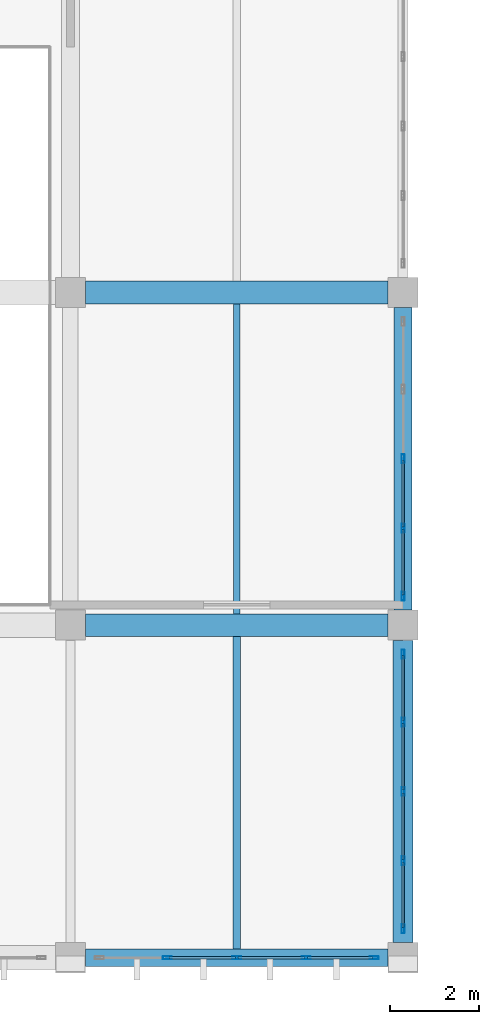
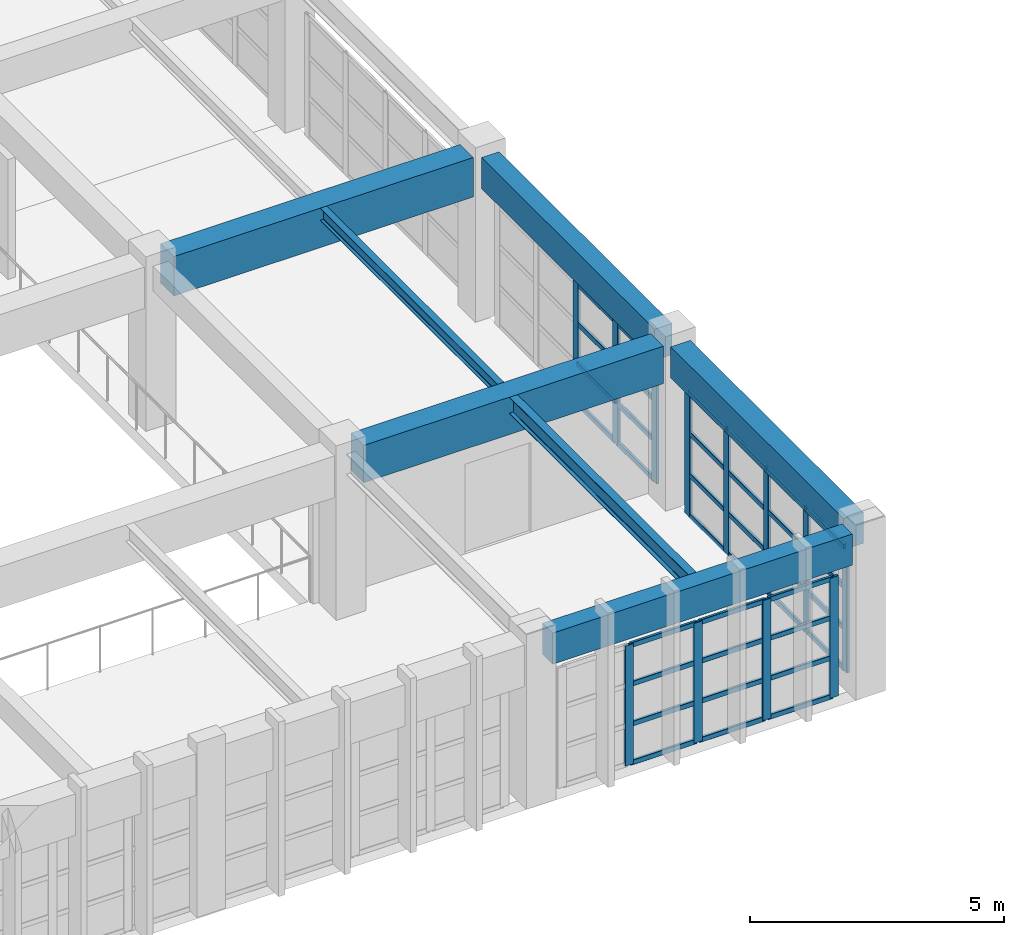
# One storey, part 8 of 132: 48 members, 7 beams, 3 elements without a shape of their own.
"""IFC4 building model written with IfcOpenShell, lengths in metres."""

from ifc_helpers import new_model, si_unit, direction, frame, origin, origin_2d, place, context, subcontext, project, spatial, rectangle, hollow_rectangle, i_section, extrude, material, material_profile, profile_set, type_object, element, aggregate, save


model = new_model("IFC4")

# Units and contexts
model_context = context("Model", 3, precision=1e-05, world=origin(), true_north=direction((0.0, 1.0)))
body_context = subcontext(model_context, "Body", "Model", "MODEL_VIEW")
ifc_project = project(units=[si_unit("LENGTHUNIT", "METRE"), si_unit("AREAUNIT", "SQUARE_METRE"), si_unit("VOLUMEUNIT", "CUBIC_METRE"), si_unit("PLANEANGLEUNIT", "RADIAN"), si_unit("MASSUNIT", "GRAM", prefix="KILO")], contexts=[model_context])

# Site, building, storey
site_placement = place(None, origin())
site = spatial("IfcSite", under=ifc_project, at=site_placement, CompositionType="ELEMENT")
building_placement = place(site_placement, origin())
building = spatial("IfcBuilding", under=site, at=building_placement, Name="Qasida Concert Hall", CompositionType="ELEMENT")
storey_placement = place(building_placement, frame((0.0, 0.0, 4.800048828125)))
storey = spatial("IfcBuildingStorey", under=building, at=storey_placement, Name="L01", CompositionType="ELEMENT", Elevation=4.800048828125)

# Beams
ifc_material_1 = material(Name="Concrete C40/50", Category="concrete")
ifc_material_profile_1 = material_profile(ifc_material_1, rectangle(XDim=0.5, YDim=0.89990234375, at=origin_2d()), Name="RC 500x900")
ifc_profile_set_1 = profile_set([ifc_material_profile_1], Name="Concrete C40/50")
beam_type_1 = type_object("IfcBeamType", Name="BM-G1", PredefinedType="USERDEFINED", material=ifc_profile_set_1)
beam_1_placement = place(storey_placement, frame((30.340087890625, 7.5, 3.469970703125), z_axis=(1.0, 0.0, 0.0), x_axis=(0.0, 1.0, 0.0)))
element("IfcBeam", 1, at=beam_1_placement, inside=storey, type_object=beam_type_1, Name="Primary girder 0901", ObjectType="GIRDER", PredefinedType="USERDEFINED", context=body_context, shape_type="SweptSolid", body=[
    extrude(rectangle(XDim=0.5, YDim=0.89990234375, at=origin_2d()), origin(), (0.0, 0.0, 1.0), 6.81982421875),
])
ifc_material_profile_2 = material_profile(ifc_material_1, rectangle(XDim=0.52001953125, YDim=0.949951171875, at=origin_2d()), Name="RC 520x950")
ifc_profile_set_2 = profile_set([ifc_material_profile_2], Name="Concrete C40/50")
beam_type_2 = type_object("IfcBeamType", Name="BM-G7", PredefinedType="USERDEFINED", material=ifc_profile_set_2)
beam_2_placement = place(storey_placement, frame((30.340087890625, 15.0, 3.445068359375), z_axis=(1.0, 0.0, 0.0), x_axis=(0.0, 1.0, 0.0)))
element("IfcBeam", 2, at=beam_2_placement, inside=storey, type_object=beam_type_2, Name="Primary girder 0904", ObjectType="GIRDER", PredefinedType="USERDEFINED", context=body_context, shape_type="SweptSolid", body=[
    extrude(rectangle(XDim=0.52001953125, YDim=0.949951171875, at=origin_2d()), origin(), (0.0, 0.0, 1.0), 6.81982421875),
])
ifc_material_2 = material(Name="Steel S355J2", Category="steel")
ifc_material_profile_3 = material_profile(ifc_material_2, i_section(OverallWidth=0.179931640625, OverallDepth=0.39990234375, WebThickness=0.008544921875, FlangeThickness=0.013427734375, FilletRadius=0.02099609375, at=origin_2d()), Name="IPE 400")
ifc_profile_set_3 = profile_set([ifc_material_profile_3], Name="Steel S355J2")
beam_type_3 = type_object("IfcBeamType", Name="BM-J3", PredefinedType="JOIST", material=ifc_profile_set_3)
beam_3_placement = place(storey_placement, frame((33.75, 0.199951171875, 3.719970703125), z_axis=(0.0, 1.0, 0.0), x_axis=(-1.0, 0.0, 0.0)))
element("IfcBeam", 3, at=beam_3_placement, inside=storey, type_object=beam_type_3, Name="L01 secondary joist 0970", PredefinedType="JOIST", context=body_context, shape_type="SweptSolid", body=[
    extrude(i_section(OverallWidth=0.179931640625, OverallDepth=0.39990234375, WebThickness=0.008544921875, FlangeThickness=0.013427734375, FilletRadius=0.02099609375, at=origin_2d()), origin(), (0.0, 0.0, 1.0), 7.050048828125),
])
ifc_material_profile_4 = material_profile(ifc_material_2, i_section(OverallWidth=0.14990234375, OverallDepth=0.300048828125, WebThickness=0.007080078125, FlangeThickness=0.0107421875, FilletRadius=0.014892578125, at=origin_2d()), Name="IPE 300")
ifc_profile_set_4 = profile_set([ifc_material_profile_4], Name="Steel S355J2")
beam_type_4 = type_object("IfcBeamType", Name="BM-J4", PredefinedType="JOIST", material=ifc_profile_set_4)
beam_4_placement = place(storey_placement, frame((33.75, 7.75, 3.77001953125), z_axis=(0.0, 1.0, 0.0), x_axis=(-1.0, 0.0, 0.0)))
element("IfcBeam", 4, at=beam_4_placement, inside=storey, type_object=beam_type_4, Name="L01 secondary joist 0971", PredefinedType="JOIST", context=body_context, shape_type="SweptSolid", body=[
    extrude(i_section(OverallWidth=0.14990234375, OverallDepth=0.300048828125, WebThickness=0.007080078125, FlangeThickness=0.0107421875, FilletRadius=0.014892578125, at=origin_2d()), origin(), (0.0, 0.0, 1.0), 6.989990234375),
])
ifc_material_profile_5 = material_profile(ifc_material_1, rectangle(XDim=0.39990234375, YDim=0.75, at=origin_2d()), Name="RC 400x750")
ifc_profile_set_5 = profile_set([ifc_material_profile_5], Name="Concrete C40/50")
beam_type_5 = type_object("IfcBeamType", Name="BM-SP1", PredefinedType="SPANDREL", material=ifc_profile_set_5)
for number, where, z_axis, x_axis, name in (
    (5, (30.340087890625, 0.0, 3.544921875), (1.0, 0.0, 0.0), (0.0, 1.0, 0.0), "Primary girder 0898"),
    (6, (37.5, 7.840087890625, 3.544921875), (0.0, 1.0, 0.0), (-1.0, 0.0, 0.0), "L01 girder 0942"),
):
    element("IfcBeam", number, at=place(storey_placement, frame(where, z_axis=z_axis, x_axis=x_axis)), inside=storey, type_object=beam_type_5, Name=name, PredefinedType="SPANDREL", context=body_context, shape_type="SweptSolid", body=[
        extrude(rectangle(XDim=0.39990234375, YDim=0.75, at=origin_2d()), origin(), (0.0, 0.0, 1.0), 6.81982421875),
    ])
ifc_material_profile_6 = material_profile(ifc_material_1, rectangle(XDim=0.449951171875, YDim=0.75, at=origin_2d()), Name="RC 450x750")
ifc_profile_set_6 = profile_set([ifc_material_profile_6], Name="Concrete C40/50")
beam_type_6 = type_object("IfcBeamType", Name="BM-SP4", PredefinedType="SPANDREL", material=ifc_profile_set_6)
beam_5_placement = place(storey_placement, frame((37.5, 0.340087890625, 3.544921875), z_axis=(0.0, 1.0, 0.0), x_axis=(-1.0, 0.0, 0.0)))
element("IfcBeam", 7, at=beam_5_placement, inside=storey, type_object=beam_type_6, Name="L01 girder 0941", PredefinedType="SPANDREL", context=body_context, shape_type="SweptSolid", body=[
    extrude(rectangle(XDim=0.449951171875, YDim=0.75, at=origin_2d()), origin(), (0.0, 0.0, 1.0), 6.81982421875),
])

# Curtain wall, members
ifc_material_3 = material(Name="Architectural bronze-anodized aluminium and low-E glass", Category="aluminium")
curtain_wall_type = type_object("IfcCurtainWallType", Name="CW-07", PredefinedType="NOTDEFINED", material=ifc_material_3)
curtain_wall_1_placement = place(storey_placement, origin())
curtain_wall_1 = element("IfcCurtainWall", 8, at=curtain_wall_1_placement, inside=storey, type_object=curtain_wall_type, Name="L01 curtain wall CW-07 0089", PredefinedType="NOTDEFINED")
ifc_material_4 = material(Name="Architectural bronze-anodized aluminium EN AW-6063", Category="aluminium")
ifc_material_profile_7 = material_profile(ifc_material_4, hollow_rectangle(XDim=0.06494140625, YDim=0.199951171875, WallThickness=0.0048828125, InnerFilletRadius=0.0048828125, OuterFilletRadius=0.010009765625, at=origin_2d()), Name="CWM 200x65x5")
ifc_profile_set_7 = profile_set([ifc_material_profile_7], Name="Architectural bronze-anodized aluminium EN AW-6063")
member_type_1 = type_object("IfcMemberType", Name="MB-CWM-2", PredefinedType="MULLION", material=ifc_profile_set_7)
member_1_placement = place(storey_placement, frame((32.18505859375, 0.0, 0.0), z_axis=(0.0, 0.0, 1.0), x_axis=(0.0, 1.0, 0.0)))
member_1 = element("IfcMember", 9, at=member_1_placement, type_object=member_type_1, Name="CW-07 mullion 2", PredefinedType="MULLION", context=body_context, shape_type="SweptSolid", body=[
    extrude(hollow_rectangle(XDim=0.06494140625, YDim=0.199951171875, WallThickness=0.0048828125, InnerFilletRadius=0.0048828125, OuterFilletRadius=0.010009765625, at=origin_2d()), origin(), (0.0, 0.0, 1.0), 2.889892578125),
])
member_2_placement = place(storey_placement, frame((33.75, 0.0, 0.0), z_axis=(0.0, 0.0, 1.0), x_axis=(0.0, 1.0, 0.0)))
member_2 = element("IfcMember", 10, at=member_2_placement, type_object=member_type_1, Name="CW-07 mullion 3", PredefinedType="MULLION", context=body_context, shape_type="SweptSolid", body=[
    extrude(hollow_rectangle(XDim=0.06494140625, YDim=0.199951171875, WallThickness=0.0048828125, InnerFilletRadius=0.0048828125, OuterFilletRadius=0.010009765625, at=origin_2d()), origin(), (0.0, 0.0, 1.0), 2.889892578125),
])
member_3_placement = place(storey_placement, frame((35.31494140625, 0.0, 0.0), z_axis=(0.0, 0.0, 1.0), x_axis=(0.0, 1.0, 0.0)))
member_3 = element("IfcMember", 11, at=member_3_placement, type_object=member_type_1, Name="CW-07 mullion 4", PredefinedType="MULLION", context=body_context, shape_type="SweptSolid", body=[
    extrude(hollow_rectangle(XDim=0.06494140625, YDim=0.199951171875, WallThickness=0.0048828125, InnerFilletRadius=0.0048828125, OuterFilletRadius=0.010009765625, at=origin_2d()), origin(), (0.0, 0.0, 1.0), 2.889892578125),
])
member_4_placement = place(storey_placement, frame((36.847412109375, 0.0, 0.0), z_axis=(0.0, 0.0, 1.0), x_axis=(0.0, 1.0, 0.0)))
member_4 = element("IfcMember", 12, at=member_4_placement, type_object=member_type_1, Name="CW-07 mullion 5", PredefinedType="MULLION", context=body_context, shape_type="SweptSolid", body=[
    extrude(hollow_rectangle(XDim=0.06494140625, YDim=0.199951171875, WallThickness=0.0048828125, InnerFilletRadius=0.0048828125, OuterFilletRadius=0.010009765625, at=origin_2d()), origin(), (0.0, 0.0, 1.0), 2.889892578125),
])

curtain_wall_2_placement = place(storey_placement, origin())
curtain_wall_2 = element("IfcCurtainWall", 13, at=curtain_wall_2_placement, inside=storey, type_object=curtain_wall_type, Name="L01 curtain wall CW-07 0091", PredefinedType="NOTDEFINED")
member_5_placement = place(storey_placement, frame((37.5, 0.652587890625, 0.0), z_axis=(0.0, 0.0, 1.0), x_axis=(-1.0, 0.0, 0.0)))
member_5 = element("IfcMember", 14, at=member_5_placement, type_object=member_type_1, Name="CW-07 mullion 1", PredefinedType="MULLION", context=body_context, shape_type="SweptSolid", body=[
    extrude(hollow_rectangle(XDim=0.06494140625, YDim=0.199951171875, WallThickness=0.0048828125, InnerFilletRadius=0.0048828125, OuterFilletRadius=0.010009765625, at=origin_2d()), origin(), (0.0, 0.0, 1.0), 2.989990234375),
])
member_6_placement = place(storey_placement, frame((37.5, 2.18505859375, 0.0), z_axis=(0.0, 0.0, 1.0), x_axis=(-1.0, 0.0, 0.0)))
member_6 = element("IfcMember", 15, at=member_6_placement, type_object=member_type_1, Name="CW-07 mullion 2", PredefinedType="MULLION", context=body_context, shape_type="SweptSolid", body=[
    extrude(hollow_rectangle(XDim=0.06494140625, YDim=0.199951171875, WallThickness=0.0048828125, InnerFilletRadius=0.0048828125, OuterFilletRadius=0.010009765625, at=origin_2d()), origin(), (0.0, 0.0, 1.0), 2.989990234375),
])
member_7_placement = place(storey_placement, frame((37.5, 3.75, 0.0), z_axis=(0.0, 0.0, 1.0), x_axis=(-1.0, 0.0, 0.0)))
member_7 = element("IfcMember", 16, at=member_7_placement, type_object=member_type_1, Name="CW-07 mullion 3", PredefinedType="MULLION", context=body_context, shape_type="SweptSolid", body=[
    extrude(hollow_rectangle(XDim=0.06494140625, YDim=0.199951171875, WallThickness=0.0048828125, InnerFilletRadius=0.0048828125, OuterFilletRadius=0.010009765625, at=origin_2d()), origin(), (0.0, 0.0, 1.0), 2.989990234375),
])
member_8_placement = place(storey_placement, frame((37.5, 5.31494140625, 0.0), z_axis=(0.0, 0.0, 1.0), x_axis=(-1.0, 0.0, 0.0)))
member_8 = element("IfcMember", 17, at=member_8_placement, type_object=member_type_1, Name="CW-07 mullion 4", PredefinedType="MULLION", context=body_context, shape_type="SweptSolid", body=[
    extrude(hollow_rectangle(XDim=0.06494140625, YDim=0.199951171875, WallThickness=0.0048828125, InnerFilletRadius=0.0048828125, OuterFilletRadius=0.010009765625, at=origin_2d()), origin(), (0.0, 0.0, 1.0), 2.989990234375),
])
member_9_placement = place(storey_placement, frame((37.5, 6.847412109375, 0.0), z_axis=(0.0, 0.0, 1.0), x_axis=(-1.0, 0.0, 0.0)))
member_9 = element("IfcMember", 18, at=member_9_placement, type_object=member_type_1, Name="CW-07 mullion 5", PredefinedType="MULLION", context=body_context, shape_type="SweptSolid", body=[
    extrude(hollow_rectangle(XDim=0.06494140625, YDim=0.199951171875, WallThickness=0.0048828125, InnerFilletRadius=0.0048828125, OuterFilletRadius=0.010009765625, at=origin_2d()), origin(), (0.0, 0.0, 1.0), 2.989990234375),
])

curtain_wall_3_placement = place(storey_placement, origin())
curtain_wall_3 = element("IfcCurtainWall", 19, at=curtain_wall_3_placement, inside=storey, type_object=curtain_wall_type, Name="L01 curtain wall CW-07 0093", PredefinedType="NOTDEFINED")
member_10_placement = place(storey_placement, frame((37.5, 8.152587890625, 0.0), z_axis=(0.0, 0.0, 1.0), x_axis=(-1.0, 0.0, 0.0)))
member_10 = element("IfcMember", 20, at=member_10_placement, type_object=member_type_1, Name="CW-07 mullion 1", PredefinedType="MULLION", context=body_context, shape_type="SweptSolid", body=[
    extrude(hollow_rectangle(XDim=0.06494140625, YDim=0.199951171875, WallThickness=0.0048828125, InnerFilletRadius=0.0048828125, OuterFilletRadius=0.010009765625, at=origin_2d()), origin(), (0.0, 0.0, 1.0), 2.93994140625),
])
member_11_placement = place(storey_placement, frame((37.5, 9.68505859375, 0.0), z_axis=(0.0, 0.0, 1.0), x_axis=(-1.0, 0.0, 0.0)))
member_11 = element("IfcMember", 21, at=member_11_placement, type_object=member_type_1, Name="CW-07 mullion 2", PredefinedType="MULLION", context=body_context, shape_type="SweptSolid", body=[
    extrude(hollow_rectangle(XDim=0.06494140625, YDim=0.199951171875, WallThickness=0.0048828125, InnerFilletRadius=0.0048828125, OuterFilletRadius=0.010009765625, at=origin_2d()), origin(), (0.0, 0.0, 1.0), 2.93994140625),
])
member_12_placement = place(storey_placement, frame((37.5, 11.25, 0.0), z_axis=(0.0, 0.0, 1.0), x_axis=(-1.0, 0.0, 0.0)))
member_12 = element("IfcMember", 22, at=member_12_placement, type_object=member_type_1, Name="CW-07 mullion 3", PredefinedType="MULLION", context=body_context, shape_type="SweptSolid", body=[
    extrude(hollow_rectangle(XDim=0.06494140625, YDim=0.199951171875, WallThickness=0.0048828125, InnerFilletRadius=0.0048828125, OuterFilletRadius=0.010009765625, at=origin_2d()), origin(), (0.0, 0.0, 1.0), 2.93994140625),
])

# Member
ifc_material_profile_8 = material_profile(ifc_material_4, hollow_rectangle(XDim=0.06005859375, YDim=0.1201171875, WallThickness=0.00390625, InnerFilletRadius=0.00390625, OuterFilletRadius=0.008056640625, at=origin_2d()), Name="CWT 120x60x4")
ifc_profile_set_8 = profile_set([ifc_material_profile_8], Name="Architectural bronze-anodized aluminium EN AW-6063")
member_type_2 = type_object("IfcMemberType", Name="MB-CWT-2", PredefinedType="USERDEFINED", material=ifc_profile_set_8)
member_13_placement = place(storey_placement, frame((32.217529296875, 0.0, 0.030029296875), z_axis=(1.0, 0.0, 0.0), x_axis=(0.0, 1.0, 0.0)))
member_13 = element("IfcMember", 23, at=member_13_placement, type_object=member_type_2, Name="CW-07 transom 2.1", ObjectType="TRANSOM", PredefinedType="USERDEFINED", context=body_context, shape_type="SweptSolid", body=[
    extrude(hollow_rectangle(XDim=0.06005859375, YDim=0.1201171875, WallThickness=0.00390625, InnerFilletRadius=0.00390625, OuterFilletRadius=0.008056640625, at=origin_2d()), origin(), (0.0, 0.0, 1.0), 1.5),
])

member_14_placement = place(storey_placement, frame((32.217529296875, 0.0, 0.963134765625), z_axis=(1.0, 0.0, 0.0), x_axis=(0.0, 1.0, 0.0)))
member_14 = element("IfcMember", 24, at=member_14_placement, type_object=member_type_2, Name="CW-07 transom 2.2", ObjectType="TRANSOM", PredefinedType="USERDEFINED", context=body_context, shape_type="SweptSolid", body=[
    extrude(hollow_rectangle(XDim=0.06005859375, YDim=0.1201171875, WallThickness=0.00390625, InnerFilletRadius=0.00390625, OuterFilletRadius=0.008056640625, at=origin_2d()), origin(), (0.0, 0.0, 1.0), 1.5),
])

member_15_placement = place(storey_placement, frame((32.217529296875, 0.0, 1.9267578125), z_axis=(1.0, 0.0, 0.0), x_axis=(0.0, 1.0, 0.0)))
member_15 = element("IfcMember", 25, at=member_15_placement, type_object=member_type_2, Name="CW-07 transom 2.3", ObjectType="TRANSOM", PredefinedType="USERDEFINED", context=body_context, shape_type="SweptSolid", body=[
    extrude(hollow_rectangle(XDim=0.06005859375, YDim=0.1201171875, WallThickness=0.00390625, InnerFilletRadius=0.00390625, OuterFilletRadius=0.008056640625, at=origin_2d()), origin(), (0.0, 0.0, 1.0), 1.5),
])

member_16_placement = place(storey_placement, frame((32.217529296875, 0.0, 2.85986328125), z_axis=(1.0, 0.0, 0.0), x_axis=(0.0, 1.0, 0.0)))
member_16 = element("IfcMember", 26, at=member_16_placement, type_object=member_type_2, Name="CW-07 transom 2.4", ObjectType="TRANSOM", PredefinedType="USERDEFINED", context=body_context, shape_type="SweptSolid", body=[
    extrude(hollow_rectangle(XDim=0.06005859375, YDim=0.1201171875, WallThickness=0.00390625, InnerFilletRadius=0.00390625, OuterFilletRadius=0.008056640625, at=origin_2d()), origin(), (0.0, 0.0, 1.0), 1.5),
])

member_17_placement = place(storey_placement, frame((33.782470703125, 0.0, 0.030029296875), z_axis=(1.0, 0.0, 0.0), x_axis=(0.0, 1.0, 0.0)))
member_17 = element("IfcMember", 27, at=member_17_placement, type_object=member_type_2, Name="CW-07 transom 3.1", ObjectType="TRANSOM", PredefinedType="USERDEFINED", context=body_context, shape_type="SweptSolid", body=[
    extrude(hollow_rectangle(XDim=0.06005859375, YDim=0.1201171875, WallThickness=0.00390625, InnerFilletRadius=0.00390625, OuterFilletRadius=0.008056640625, at=origin_2d()), origin(), (0.0, 0.0, 1.0), 1.5),
])

member_18_placement = place(storey_placement, frame((33.782470703125, 0.0, 0.963134765625), z_axis=(1.0, 0.0, 0.0), x_axis=(0.0, 1.0, 0.0)))
member_18 = element("IfcMember", 28, at=member_18_placement, type_object=member_type_2, Name="CW-07 transom 3.2", ObjectType="TRANSOM", PredefinedType="USERDEFINED", context=body_context, shape_type="SweptSolid", body=[
    extrude(hollow_rectangle(XDim=0.06005859375, YDim=0.1201171875, WallThickness=0.00390625, InnerFilletRadius=0.00390625, OuterFilletRadius=0.008056640625, at=origin_2d()), origin(), (0.0, 0.0, 1.0), 1.5),
])

member_19_placement = place(storey_placement, frame((33.782470703125, 0.0, 1.9267578125), z_axis=(1.0, 0.0, 0.0), x_axis=(0.0, 1.0, 0.0)))
member_19 = element("IfcMember", 29, at=member_19_placement, type_object=member_type_2, Name="CW-07 transom 3.3", ObjectType="TRANSOM", PredefinedType="USERDEFINED", context=body_context, shape_type="SweptSolid", body=[
    extrude(hollow_rectangle(XDim=0.06005859375, YDim=0.1201171875, WallThickness=0.00390625, InnerFilletRadius=0.00390625, OuterFilletRadius=0.008056640625, at=origin_2d()), origin(), (0.0, 0.0, 1.0), 1.5),
])

member_20_placement = place(storey_placement, frame((33.782470703125, 0.0, 2.85986328125), z_axis=(1.0, 0.0, 0.0), x_axis=(0.0, 1.0, 0.0)))
member_20 = element("IfcMember", 30, at=member_20_placement, type_object=member_type_2, Name="CW-07 transom 3.4", ObjectType="TRANSOM", PredefinedType="USERDEFINED", context=body_context, shape_type="SweptSolid", body=[
    extrude(hollow_rectangle(XDim=0.06005859375, YDim=0.1201171875, WallThickness=0.00390625, InnerFilletRadius=0.00390625, OuterFilletRadius=0.008056640625, at=origin_2d()), origin(), (0.0, 0.0, 1.0), 1.5),
])

member_21_placement = place(storey_placement, frame((35.347412109375, 0.0, 0.030029296875), z_axis=(1.0, 0.0, 0.0), x_axis=(0.0, 1.0, 0.0)))
member_21 = element("IfcMember", 31, at=member_21_placement, type_object=member_type_2, Name="CW-07 transom 4.1", ObjectType="TRANSOM", PredefinedType="USERDEFINED", context=body_context, shape_type="SweptSolid", body=[
    extrude(hollow_rectangle(XDim=0.06005859375, YDim=0.1201171875, WallThickness=0.00390625, InnerFilletRadius=0.00390625, OuterFilletRadius=0.008056640625, at=origin_2d()), origin(), (0.0, 0.0, 1.0), 1.467529296875),
])

member_22_placement = place(storey_placement, frame((35.347412109375, 0.0, 0.963134765625), z_axis=(1.0, 0.0, 0.0), x_axis=(0.0, 1.0, 0.0)))
member_22 = element("IfcMember", 32, at=member_22_placement, type_object=member_type_2, Name="CW-07 transom 4.2", ObjectType="TRANSOM", PredefinedType="USERDEFINED", context=body_context, shape_type="SweptSolid", body=[
    extrude(hollow_rectangle(XDim=0.06005859375, YDim=0.1201171875, WallThickness=0.00390625, InnerFilletRadius=0.00390625, OuterFilletRadius=0.008056640625, at=origin_2d()), origin(), (0.0, 0.0, 1.0), 1.467529296875),
])

member_23_placement = place(storey_placement, frame((35.347412109375, 0.0, 1.9267578125), z_axis=(1.0, 0.0, 0.0), x_axis=(0.0, 1.0, 0.0)))
member_23 = element("IfcMember", 33, at=member_23_placement, type_object=member_type_2, Name="CW-07 transom 4.3", ObjectType="TRANSOM", PredefinedType="USERDEFINED", context=body_context, shape_type="SweptSolid", body=[
    extrude(hollow_rectangle(XDim=0.06005859375, YDim=0.1201171875, WallThickness=0.00390625, InnerFilletRadius=0.00390625, OuterFilletRadius=0.008056640625, at=origin_2d()), origin(), (0.0, 0.0, 1.0), 1.467529296875),
])

member_24_placement = place(storey_placement, frame((35.347412109375, 0.0, 2.85986328125), z_axis=(1.0, 0.0, 0.0), x_axis=(0.0, 1.0, 0.0)))
member_24 = element("IfcMember", 34, at=member_24_placement, type_object=member_type_2, Name="CW-07 transom 4.4", ObjectType="TRANSOM", PredefinedType="USERDEFINED", context=body_context, shape_type="SweptSolid", body=[
    extrude(hollow_rectangle(XDim=0.06005859375, YDim=0.1201171875, WallThickness=0.00390625, InnerFilletRadius=0.00390625, OuterFilletRadius=0.008056640625, at=origin_2d()), origin(), (0.0, 0.0, 1.0), 1.467529296875),
])

aggregate(curtain_wall_1, [member_1, member_2, member_3, member_4, member_13, member_14, member_15, member_16, member_17, member_18, member_19, member_20, member_21, member_22, member_23, member_24])

member_25_placement = place(storey_placement, frame((37.5, 0.68505859375, 0.030029296875), z_axis=(0.0, 1.0, 0.0), x_axis=(-1.0, 0.0, 0.0)))
member_25 = element("IfcMember", 35, at=member_25_placement, type_object=member_type_2, Name="CW-07 transom 1.1", ObjectType="TRANSOM", PredefinedType="USERDEFINED", context=body_context, shape_type="SweptSolid", body=[
    extrude(hollow_rectangle(XDim=0.06005859375, YDim=0.1201171875, WallThickness=0.00390625, InnerFilletRadius=0.00390625, OuterFilletRadius=0.008056640625, at=origin_2d()), origin(), (0.0, 0.0, 1.0), 1.467529296875),
])

member_26_placement = place(storey_placement, frame((37.5, 0.68505859375, 0.99658203125), z_axis=(0.0, 1.0, 0.0), x_axis=(-1.0, 0.0, 0.0)))
member_26 = element("IfcMember", 36, at=member_26_placement, type_object=member_type_2, Name="CW-07 transom 1.2", ObjectType="TRANSOM", PredefinedType="USERDEFINED", context=body_context, shape_type="SweptSolid", body=[
    extrude(hollow_rectangle(XDim=0.06005859375, YDim=0.1201171875, WallThickness=0.00390625, InnerFilletRadius=0.00390625, OuterFilletRadius=0.008056640625, at=origin_2d()), origin(), (0.0, 0.0, 1.0), 1.467529296875),
])

member_27_placement = place(storey_placement, frame((37.5, 0.68505859375, 1.9931640625), z_axis=(0.0, 1.0, 0.0), x_axis=(-1.0, 0.0, 0.0)))
member_27 = element("IfcMember", 37, at=member_27_placement, type_object=member_type_2, Name="CW-07 transom 1.3", ObjectType="TRANSOM", PredefinedType="USERDEFINED", context=body_context, shape_type="SweptSolid", body=[
    extrude(hollow_rectangle(XDim=0.06005859375, YDim=0.1201171875, WallThickness=0.00390625, InnerFilletRadius=0.00390625, OuterFilletRadius=0.008056640625, at=origin_2d()), origin(), (0.0, 0.0, 1.0), 1.467529296875),
])

member_28_placement = place(storey_placement, frame((37.5, 0.68505859375, 2.9599609375), z_axis=(0.0, 1.0, 0.0), x_axis=(-1.0, 0.0, 0.0)))
member_28 = element("IfcMember", 38, at=member_28_placement, type_object=member_type_2, Name="CW-07 transom 1.4", ObjectType="TRANSOM", PredefinedType="USERDEFINED", context=body_context, shape_type="SweptSolid", body=[
    extrude(hollow_rectangle(XDim=0.06005859375, YDim=0.1201171875, WallThickness=0.00390625, InnerFilletRadius=0.00390625, OuterFilletRadius=0.008056640625, at=origin_2d()), origin(), (0.0, 0.0, 1.0), 1.467529296875),
])

member_29_placement = place(storey_placement, frame((37.5, 2.217529296875, 0.030029296875), z_axis=(0.0, 1.0, 0.0), x_axis=(-1.0, 0.0, 0.0)))
member_29 = element("IfcMember", 39, at=member_29_placement, type_object=member_type_2, Name="CW-07 transom 2.1", ObjectType="TRANSOM", PredefinedType="USERDEFINED", context=body_context, shape_type="SweptSolid", body=[
    extrude(hollow_rectangle(XDim=0.06005859375, YDim=0.1201171875, WallThickness=0.00390625, InnerFilletRadius=0.00390625, OuterFilletRadius=0.008056640625, at=origin_2d()), origin(), (0.0, 0.0, 1.0), 1.5),
])

member_30_placement = place(storey_placement, frame((37.5, 2.217529296875, 0.99658203125), z_axis=(0.0, 1.0, 0.0), x_axis=(-1.0, 0.0, 0.0)))
member_30 = element("IfcMember", 40, at=member_30_placement, type_object=member_type_2, Name="CW-07 transom 2.2", ObjectType="TRANSOM", PredefinedType="USERDEFINED", context=body_context, shape_type="SweptSolid", body=[
    extrude(hollow_rectangle(XDim=0.06005859375, YDim=0.1201171875, WallThickness=0.00390625, InnerFilletRadius=0.00390625, OuterFilletRadius=0.008056640625, at=origin_2d()), origin(), (0.0, 0.0, 1.0), 1.5),
])

member_31_placement = place(storey_placement, frame((37.5, 2.217529296875, 1.9931640625), z_axis=(0.0, 1.0, 0.0), x_axis=(-1.0, 0.0, 0.0)))
member_31 = element("IfcMember", 41, at=member_31_placement, type_object=member_type_2, Name="CW-07 transom 2.3", ObjectType="TRANSOM", PredefinedType="USERDEFINED", context=body_context, shape_type="SweptSolid", body=[
    extrude(hollow_rectangle(XDim=0.06005859375, YDim=0.1201171875, WallThickness=0.00390625, InnerFilletRadius=0.00390625, OuterFilletRadius=0.008056640625, at=origin_2d()), origin(), (0.0, 0.0, 1.0), 1.5),
])

member_32_placement = place(storey_placement, frame((37.5, 2.217529296875, 2.9599609375), z_axis=(0.0, 1.0, 0.0), x_axis=(-1.0, 0.0, 0.0)))
member_32 = element("IfcMember", 42, at=member_32_placement, type_object=member_type_2, Name="CW-07 transom 2.4", ObjectType="TRANSOM", PredefinedType="USERDEFINED", context=body_context, shape_type="SweptSolid", body=[
    extrude(hollow_rectangle(XDim=0.06005859375, YDim=0.1201171875, WallThickness=0.00390625, InnerFilletRadius=0.00390625, OuterFilletRadius=0.008056640625, at=origin_2d()), origin(), (0.0, 0.0, 1.0), 1.5),
])

member_33_placement = place(storey_placement, frame((37.5, 3.782470703125, 0.030029296875), z_axis=(0.0, 1.0, 0.0), x_axis=(-1.0, 0.0, 0.0)))
member_33 = element("IfcMember", 43, at=member_33_placement, type_object=member_type_2, Name="CW-07 transom 3.1", ObjectType="TRANSOM", PredefinedType="USERDEFINED", context=body_context, shape_type="SweptSolid", body=[
    extrude(hollow_rectangle(XDim=0.06005859375, YDim=0.1201171875, WallThickness=0.00390625, InnerFilletRadius=0.00390625, OuterFilletRadius=0.008056640625, at=origin_2d()), origin(), (0.0, 0.0, 1.0), 1.5),
])

member_34_placement = place(storey_placement, frame((37.5, 3.782470703125, 0.99658203125), z_axis=(0.0, 1.0, 0.0), x_axis=(-1.0, 0.0, 0.0)))
member_34 = element("IfcMember", 44, at=member_34_placement, type_object=member_type_2, Name="CW-07 transom 3.2", ObjectType="TRANSOM", PredefinedType="USERDEFINED", context=body_context, shape_type="SweptSolid", body=[
    extrude(hollow_rectangle(XDim=0.06005859375, YDim=0.1201171875, WallThickness=0.00390625, InnerFilletRadius=0.00390625, OuterFilletRadius=0.008056640625, at=origin_2d()), origin(), (0.0, 0.0, 1.0), 1.5),
])

member_35_placement = place(storey_placement, frame((37.5, 3.782470703125, 1.9931640625), z_axis=(0.0, 1.0, 0.0), x_axis=(-1.0, 0.0, 0.0)))
member_35 = element("IfcMember", 45, at=member_35_placement, type_object=member_type_2, Name="CW-07 transom 3.3", ObjectType="TRANSOM", PredefinedType="USERDEFINED", context=body_context, shape_type="SweptSolid", body=[
    extrude(hollow_rectangle(XDim=0.06005859375, YDim=0.1201171875, WallThickness=0.00390625, InnerFilletRadius=0.00390625, OuterFilletRadius=0.008056640625, at=origin_2d()), origin(), (0.0, 0.0, 1.0), 1.5),
])

member_36_placement = place(storey_placement, frame((37.5, 3.782470703125, 2.9599609375), z_axis=(0.0, 1.0, 0.0), x_axis=(-1.0, 0.0, 0.0)))
member_36 = element("IfcMember", 46, at=member_36_placement, type_object=member_type_2, Name="CW-07 transom 3.4", ObjectType="TRANSOM", PredefinedType="USERDEFINED", context=body_context, shape_type="SweptSolid", body=[
    extrude(hollow_rectangle(XDim=0.06005859375, YDim=0.1201171875, WallThickness=0.00390625, InnerFilletRadius=0.00390625, OuterFilletRadius=0.008056640625, at=origin_2d()), origin(), (0.0, 0.0, 1.0), 1.5),
])

member_37_placement = place(storey_placement, frame((37.5, 5.347412109375, 0.030029296875), z_axis=(0.0, 1.0, 0.0), x_axis=(-1.0, 0.0, 0.0)))
member_37 = element("IfcMember", 47, at=member_37_placement, type_object=member_type_2, Name="CW-07 transom 4.1", ObjectType="TRANSOM", PredefinedType="USERDEFINED", context=body_context, shape_type="SweptSolid", body=[
    extrude(hollow_rectangle(XDim=0.06005859375, YDim=0.1201171875, WallThickness=0.00390625, InnerFilletRadius=0.00390625, OuterFilletRadius=0.008056640625, at=origin_2d()), origin(), (0.0, 0.0, 1.0), 1.467529296875),
])

member_38_placement = place(storey_placement, frame((37.5, 5.347412109375, 0.99658203125), z_axis=(0.0, 1.0, 0.0), x_axis=(-1.0, 0.0, 0.0)))
member_38 = element("IfcMember", 48, at=member_38_placement, type_object=member_type_2, Name="CW-07 transom 4.2", ObjectType="TRANSOM", PredefinedType="USERDEFINED", context=body_context, shape_type="SweptSolid", body=[
    extrude(hollow_rectangle(XDim=0.06005859375, YDim=0.1201171875, WallThickness=0.00390625, InnerFilletRadius=0.00390625, OuterFilletRadius=0.008056640625, at=origin_2d()), origin(), (0.0, 0.0, 1.0), 1.467529296875),
])

member_39_placement = place(storey_placement, frame((37.5, 5.347412109375, 1.9931640625), z_axis=(0.0, 1.0, 0.0), x_axis=(-1.0, 0.0, 0.0)))
member_39 = element("IfcMember", 49, at=member_39_placement, type_object=member_type_2, Name="CW-07 transom 4.3", ObjectType="TRANSOM", PredefinedType="USERDEFINED", context=body_context, shape_type="SweptSolid", body=[
    extrude(hollow_rectangle(XDim=0.06005859375, YDim=0.1201171875, WallThickness=0.00390625, InnerFilletRadius=0.00390625, OuterFilletRadius=0.008056640625, at=origin_2d()), origin(), (0.0, 0.0, 1.0), 1.467529296875),
])

member_40_placement = place(storey_placement, frame((37.5, 5.347412109375, 2.9599609375), z_axis=(0.0, 1.0, 0.0), x_axis=(-1.0, 0.0, 0.0)))
member_40 = element("IfcMember", 50, at=member_40_placement, type_object=member_type_2, Name="CW-07 transom 4.4", ObjectType="TRANSOM", PredefinedType="USERDEFINED", context=body_context, shape_type="SweptSolid", body=[
    extrude(hollow_rectangle(XDim=0.06005859375, YDim=0.1201171875, WallThickness=0.00390625, InnerFilletRadius=0.00390625, OuterFilletRadius=0.008056640625, at=origin_2d()), origin(), (0.0, 0.0, 1.0), 1.467529296875),
])

aggregate(curtain_wall_2, [member_5, member_6, member_7, member_8, member_9, member_25, member_26, member_27, member_28, member_29, member_30, member_31, member_32, member_33, member_34, member_35, member_36, member_37, member_38, member_39, member_40])

member_41_placement = place(storey_placement, frame((37.5, 8.18505859375, 0.030029296875), z_axis=(0.0, 1.0, 0.0), x_axis=(-1.0, 0.0, 0.0)))
member_41 = element("IfcMember", 51, at=member_41_placement, type_object=member_type_2, Name="CW-07 transom 1.1", ObjectType="TRANSOM", PredefinedType="USERDEFINED", context=body_context, shape_type="SweptSolid", body=[
    extrude(hollow_rectangle(XDim=0.06005859375, YDim=0.1201171875, WallThickness=0.00390625, InnerFilletRadius=0.00390625, OuterFilletRadius=0.008056640625, at=origin_2d()), origin(), (0.0, 0.0, 1.0), 1.467529296875),
])

member_42_placement = place(storey_placement, frame((37.5, 8.18505859375, 0.97998046875), z_axis=(0.0, 1.0, 0.0), x_axis=(-1.0, 0.0, 0.0)))
member_42 = element("IfcMember", 52, at=member_42_placement, type_object=member_type_2, Name="CW-07 transom 1.2", ObjectType="TRANSOM", PredefinedType="USERDEFINED", context=body_context, shape_type="SweptSolid", body=[
    extrude(hollow_rectangle(XDim=0.06005859375, YDim=0.1201171875, WallThickness=0.00390625, InnerFilletRadius=0.00390625, OuterFilletRadius=0.008056640625, at=origin_2d()), origin(), (0.0, 0.0, 1.0), 1.467529296875),
])

member_43_placement = place(storey_placement, frame((37.5, 8.18505859375, 1.9599609375), z_axis=(0.0, 1.0, 0.0), x_axis=(-1.0, 0.0, 0.0)))
member_43 = element("IfcMember", 53, at=member_43_placement, type_object=member_type_2, Name="CW-07 transom 1.3", ObjectType="TRANSOM", PredefinedType="USERDEFINED", context=body_context, shape_type="SweptSolid", body=[
    extrude(hollow_rectangle(XDim=0.06005859375, YDim=0.1201171875, WallThickness=0.00390625, InnerFilletRadius=0.00390625, OuterFilletRadius=0.008056640625, at=origin_2d()), origin(), (0.0, 0.0, 1.0), 1.467529296875),
])

member_44_placement = place(storey_placement, frame((37.5, 8.18505859375, 2.909912109375), z_axis=(0.0, 1.0, 0.0), x_axis=(-1.0, 0.0, 0.0)))
member_44 = element("IfcMember", 54, at=member_44_placement, type_object=member_type_2, Name="CW-07 transom 1.4", ObjectType="TRANSOM", PredefinedType="USERDEFINED", context=body_context, shape_type="SweptSolid", body=[
    extrude(hollow_rectangle(XDim=0.06005859375, YDim=0.1201171875, WallThickness=0.00390625, InnerFilletRadius=0.00390625, OuterFilletRadius=0.008056640625, at=origin_2d()), origin(), (0.0, 0.0, 1.0), 1.467529296875),
])

member_45_placement = place(storey_placement, frame((37.5, 9.717529296875, 0.030029296875), z_axis=(0.0, 1.0, 0.0), x_axis=(-1.0, 0.0, 0.0)))
member_45 = element("IfcMember", 55, at=member_45_placement, type_object=member_type_2, Name="CW-07 transom 2.1", ObjectType="TRANSOM", PredefinedType="USERDEFINED", context=body_context, shape_type="SweptSolid", body=[
    extrude(hollow_rectangle(XDim=0.06005859375, YDim=0.1201171875, WallThickness=0.00390625, InnerFilletRadius=0.00390625, OuterFilletRadius=0.008056640625, at=origin_2d()), origin(), (0.0, 0.0, 1.0), 1.5),
])

member_46_placement = place(storey_placement, frame((37.5, 9.717529296875, 0.97998046875), z_axis=(0.0, 1.0, 0.0), x_axis=(-1.0, 0.0, 0.0)))
member_46 = element("IfcMember", 56, at=member_46_placement, type_object=member_type_2, Name="CW-07 transom 2.2", ObjectType="TRANSOM", PredefinedType="USERDEFINED", context=body_context, shape_type="SweptSolid", body=[
    extrude(hollow_rectangle(XDim=0.06005859375, YDim=0.1201171875, WallThickness=0.00390625, InnerFilletRadius=0.00390625, OuterFilletRadius=0.008056640625, at=origin_2d()), origin(), (0.0, 0.0, 1.0), 1.5),
])

member_47_placement = place(storey_placement, frame((37.5, 9.717529296875, 1.9599609375), z_axis=(0.0, 1.0, 0.0), x_axis=(-1.0, 0.0, 0.0)))
member_47 = element("IfcMember", 57, at=member_47_placement, type_object=member_type_2, Name="CW-07 transom 2.3", ObjectType="TRANSOM", PredefinedType="USERDEFINED", context=body_context, shape_type="SweptSolid", body=[
    extrude(hollow_rectangle(XDim=0.06005859375, YDim=0.1201171875, WallThickness=0.00390625, InnerFilletRadius=0.00390625, OuterFilletRadius=0.008056640625, at=origin_2d()), origin(), (0.0, 0.0, 1.0), 1.5),
])

member_48_placement = place(storey_placement, frame((37.5, 9.717529296875, 2.909912109375), z_axis=(0.0, 1.0, 0.0), x_axis=(-1.0, 0.0, 0.0)))
member_48 = element("IfcMember", 58, at=member_48_placement, type_object=member_type_2, Name="CW-07 transom 2.4", ObjectType="TRANSOM", PredefinedType="USERDEFINED", context=body_context, shape_type="SweptSolid", body=[
    extrude(hollow_rectangle(XDim=0.06005859375, YDim=0.1201171875, WallThickness=0.00390625, InnerFilletRadius=0.00390625, OuterFilletRadius=0.008056640625, at=origin_2d()), origin(), (0.0, 0.0, 1.0), 1.5),
])

aggregate(curtain_wall_3, [member_10, member_11, member_12, member_41, member_42, member_43, member_44, member_45, member_46, member_47, member_48])

save(model, "model.ifc")
